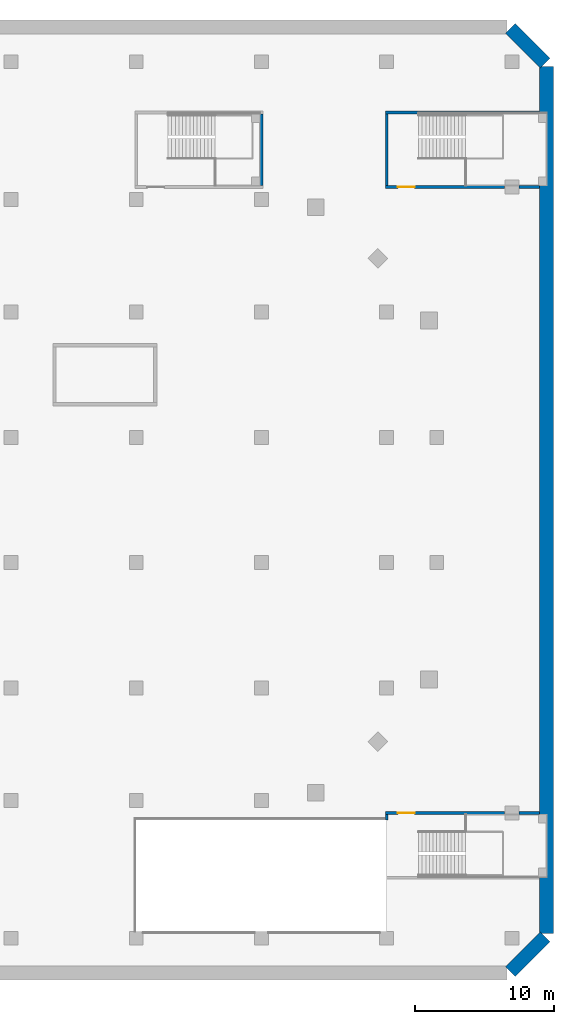
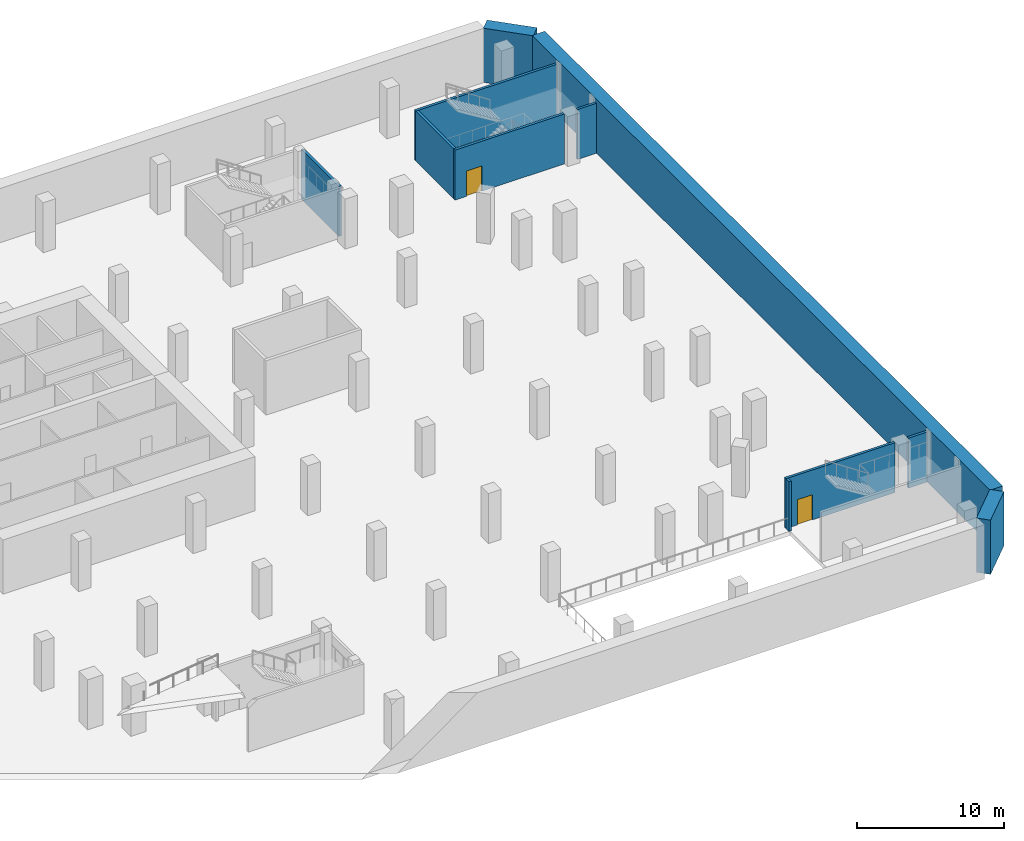
# One storey, part 10 of 16: 11 walls, 2 doors, 2 openings.
"""IFC4 building model written with IfcOpenShell, lengths in metres."""

from ifc_helpers import new_model, si_unit, direction, frame, frame_2d, origin, place, context, subcontext, project, spatial, rectangle, extrude, material, layer, layer_set, type_object, element, fill, save


model = new_model("IFC4")

# Units and contexts
model_context = context("Model", 3, precision=1e-05, world=origin(), true_north=direction((0.0, 1.0)))
body_context = subcontext(model_context, "Body", "Model", "MODEL_VIEW")
ifc_project = project(units=[si_unit("LENGTHUNIT", "METRE"), si_unit("AREAUNIT", "SQUARE_METRE"), si_unit("VOLUMEUNIT", "CUBIC_METRE"), si_unit("PLANEANGLEUNIT", "RADIAN"), si_unit("MASSUNIT", "GRAM", prefix="KILO")], contexts=[model_context])

# Site, building, storey
site_placement = place(None, origin())
site = spatial("IfcSite", under=ifc_project, at=site_placement, CompositionType="ELEMENT")
building_placement = place(site_placement, origin())
building = spatial("IfcBuilding", under=site, at=building_placement, Name="Cinnabar Reach Civic Tower", CompositionType="ELEMENT")
storey_placement = place(building_placement, frame((0.0, 0.0, -9.5)))
storey = spatial("IfcBuildingStorey", under=building, at=storey_placement, Name="B2", CompositionType="ELEMENT", Elevation=-9.5)

# Walls
ifc_material_1 = material(Name="Concrete C70", Category="concrete")
ifc_layer_1 = layer(ifc_material_1, 1.0)
ifc_layer_set_1 = layer_set([ifc_layer_1], Name="Basement wall 1000 EI 180")
wall_type_1 = type_object("IfcWallType", Name="Basement wall 1000 EI 180", PredefinedType="SOLIDWALL", material=ifc_layer_set_1)
wall_1_placement = place(storey_placement, frame((62.9004, 56.3924, 0.0), z_axis=(0.0, 0.0, 1.0), x_axis=(0.707106781187, -0.707106781187, 0.0)))
element("IfcWall", 1, at=wall_1_placement, inside=storey, type_object=wall_type_1, Name="Basement wall B2 5", PredefinedType="SOLIDWALL", context=body_context, shape_type="SweptSolid", body=[
    extrude(rectangle(XDim=3.5242, YDim=1.0, at=frame_2d((1.7621, 0.0))), origin(), (0.0, 0.0, 1.0), 4.5),
])
wall_2_placement = place(storey_placement, frame((65.5, 53.6408, 0.0), z_axis=(0.0, 0.0, 1.0), x_axis=(0.0, -1.0, 0.0)))
element("IfcWall", 2, at=wall_2_placement, inside=storey, type_object=wall_type_1, Name="Basement wall B2 6", PredefinedType="SOLIDWALL", context=body_context, shape_type="SweptSolid", body=[
    extrude(rectangle(XDim=62.2816, YDim=1.0, at=frame_2d((31.1408, 0.0))), origin(), (0.0, 0.0, 1.0), 4.5),
])
wall_3_placement = place(storey_placement, frame((65.3924, -8.9004, 0.0), z_axis=(0.0, 0.0, 1.0), x_axis=(-0.707106781187, -0.707106781187, 0.0)))
element("IfcWall", 3, at=wall_3_placement, inside=storey, type_object=wall_type_1, Name="Basement wall B2 7", PredefinedType="SOLIDWALL", context=body_context, shape_type="SweptSolid", body=[
    extrude(rectangle(XDim=3.5242, YDim=1.0, at=frame_2d((1.7621, 0.0))), origin(), (0.0, 0.0, 1.0), 4.5),
])
ifc_material_2 = material(Name="Concrete C40", Category="concrete")
ifc_layer_2 = layer(ifc_material_2, 0.2)
ifc_layer_set_2 = layer_set([ifc_layer_2], Name="Podium stair shaft wall 200 EI 120")
wall_type_2 = type_object("IfcWallType", Name="Podium stair shaft wall 200 EI 120", PredefinedType="SOLIDWALL", material=ifc_layer_set_2)
wall_4_placement = place(storey_placement, frame((54.0, -0.5, 0.0), z_axis=(0.0, 0.0, 1.0), x_axis=(0.0, 1.0, 0.0)))
element("IfcWall", 4, at=wall_4_placement, inside=storey, type_object=wall_type_2, Name="Wall B2 13", PredefinedType="SOLIDWALL", context=body_context, shape_type="SweptSolid", body=[
    extrude(rectangle(XDim=0.4, YDim=0.2, at=frame_2d((0.2, 0.0))), origin(), (0.0, 0.0, 1.0), 4.15),
])

# Wall, opening, door
wall_5_placement = place(storey_placement, frame((53.9, 0.0, 0.0), z_axis=(0.0, 0.0, 1.0), x_axis=(1.0, 0.0, 0.0)))
wall_5 = element("IfcWall", 5, at=wall_5_placement, inside=storey, type_object=wall_type_2, Name="Wall B2 14", PredefinedType="SOLIDWALL", context=body_context, shape_type="SweptSolid", body=[
    extrude(rectangle(XDim=8.58, YDim=0.2, at=frame_2d((4.29, 0.0))), origin(), (0.0, 0.0, 1.0), 4.15),
])
opening_1_placement = place(wall_5_placement, frame((0.9, 0.0, 0.0)))
opening_1 = element("IfcOpeningElement", 6, at=opening_1_placement, cuts=wall_5, Name="Opening D1307", PredefinedType="OPENING", context=body_context, shape_type="SweptSolid", body=[
    extrude(rectangle(XDim=1.2, YDim=2.1, at=frame_2d((0.6, 1.05))), frame((0.0, 0.11, 0.0), z_axis=(0.0, -1.0, 0.0), x_axis=(1.0, 0.0, 0.0)), (0.0, 0.0, 1.0), 0.22),
])
ifc_material_3 = material(Name="Painted steel door leaf", Category="steel")
door_type = type_object("IfcDoorType", Name="Podium single door 1200x2100", OperationType="SINGLE_SWING_LEFT", PredefinedType="DOOR", material=ifc_material_3)
door_1_placement = place(opening_1_placement, frame((1.2, 0.0, 0.0), z_axis=(0.0, 0.0, 1.0), x_axis=(-1.0, 0.0, 0.0)))
door_1 = element("IfcDoor", 7, at=door_1_placement, inside=storey, type_object=door_type, Name="Door D1307", OperationType="SINGLE_SWING_LEFT", OverallHeight=2.1, OverallWidth=1.2, PredefinedType="DOOR", context=body_context, shape_type="SweptSolid", body=[
    extrude(rectangle(XDim=1.2, YDim=2.1, at=frame_2d((0.6, 1.05))), frame((0.0, 0.025, 0.0), z_axis=(0.0, -1.0, 0.0), x_axis=(1.0, 0.0, 0.0)), (0.0, 0.0, 1.0), 0.05),
])
fill(opening_1, door_1)

# Walls
wall_6_placement = place(storey_placement, frame((63.52, 0.0, 0.0), z_axis=(0.0, 0.0, 1.0), x_axis=(1.0, 0.0, 0.0)))
element("IfcWall", 8, at=wall_6_placement, inside=storey, type_object=wall_type_2, Name="Wall B2 15", PredefinedType="SOLIDWALL", context=body_context, shape_type="SweptSolid", body=[
    extrude(rectangle(XDim=1.48, YDim=0.2, at=frame_2d((0.74, 0.0))), origin(), (0.0, 0.0, 1.0), 4.15),
])
wall_7_placement = place(storey_placement, frame((54.0, 45.1, 0.0), z_axis=(0.0, 0.0, 1.0), x_axis=(0.0, 1.0, 0.0)))
element("IfcWall", 9, at=wall_7_placement, inside=storey, type_object=wall_type_2, Name="Wall B2 17", PredefinedType="SOLIDWALL", context=body_context, shape_type="SweptSolid", body=[
    extrude(rectangle(XDim=5.15, YDim=0.2, at=frame_2d((2.575, 0.0))), origin(), (0.0, 0.0, 1.0), 4.15),
])
wall_8_placement = place(storey_placement, frame((53.9, 50.35, 0.0), z_axis=(0.0, 0.0, 1.0), x_axis=(1.0, 0.0, 0.0)))
element("IfcWall", 10, at=wall_8_placement, inside=storey, type_object=wall_type_2, Name="Wall B2 18", PredefinedType="SOLIDWALL", context=body_context, shape_type="SweptSolid", body=[
    extrude(rectangle(XDim=11.1, YDim=0.2, at=frame_2d((5.55, 0.0))), origin(), (0.0, 0.0, 1.0), 4.15),
])

# Wall, opening, door
wall_9_placement = place(storey_placement, frame((53.9, 45.0, 0.0), z_axis=(0.0, 0.0, 1.0), x_axis=(1.0, 0.0, 0.0)))
wall_9 = element("IfcWall", 11, at=wall_9_placement, inside=storey, type_object=wall_type_2, Name="Wall B2 19", PredefinedType="SOLIDWALL", context=body_context, shape_type="SweptSolid", body=[
    extrude(rectangle(XDim=8.58, YDim=0.2, at=frame_2d((4.29, 0.0))), origin(), (0.0, 0.0, 1.0), 4.15),
])
opening_2_placement = place(wall_9_placement, frame((0.9, 0.0, 0.0)))
opening_2 = element("IfcOpeningElement", 12, at=opening_2_placement, cuts=wall_9, Name="Opening D1308", PredefinedType="OPENING", context=body_context, shape_type="SweptSolid", body=[
    extrude(rectangle(XDim=1.2, YDim=2.1, at=frame_2d((0.6, 1.05))), frame((0.0, 0.11, 0.0), z_axis=(0.0, -1.0, 0.0), x_axis=(1.0, 0.0, 0.0)), (0.0, 0.0, 1.0), 0.22),
])
door_2_placement = place(opening_2_placement, origin())
door_2 = element("IfcDoor", 13, at=door_2_placement, inside=storey, type_object=door_type, Name="Door D1308", OperationType="SINGLE_SWING_LEFT", OverallHeight=2.1, OverallWidth=1.2, PredefinedType="DOOR", context=body_context, shape_type="SweptSolid", body=[
    extrude(rectangle(XDim=1.2, YDim=2.1, at=frame_2d((0.6, 1.05))), frame((0.0, 0.025, 0.0), z_axis=(0.0, -1.0, 0.0), x_axis=(1.0, 0.0, 0.0)), (0.0, 0.0, 1.0), 0.05),
])
fill(opening_2, door_2)

# Walls
wall_10_placement = place(storey_placement, frame((63.52, 45.0, 0.0), z_axis=(0.0, 0.0, 1.0), x_axis=(1.0, 0.0, 0.0)))
element("IfcWall", 14, at=wall_10_placement, inside=storey, type_object=wall_type_2, Name="Wall B2 20", PredefinedType="SOLIDWALL", context=body_context, shape_type="SweptSolid", body=[
    extrude(rectangle(XDim=1.48, YDim=0.2, at=frame_2d((0.74, 0.0))), origin(), (0.0, 0.0, 1.0), 4.15),
])
wall_11_placement = place(storey_placement, frame((45.0, 45.1, 0.0), z_axis=(0.0, 0.0, 1.0), x_axis=(0.0, 1.0, 0.0)))
element("IfcWall", 15, at=wall_11_placement, inside=storey, type_object=wall_type_2, Name="Wall B2 22", PredefinedType="SOLIDWALL", context=body_context, shape_type="SweptSolid", body=[
    extrude(rectangle(XDim=5.15, YDim=0.2, at=frame_2d((2.575, 0.0))), origin(), (0.0, 0.0, 1.0), 4.15),
])

save(model, "model.ifc")
